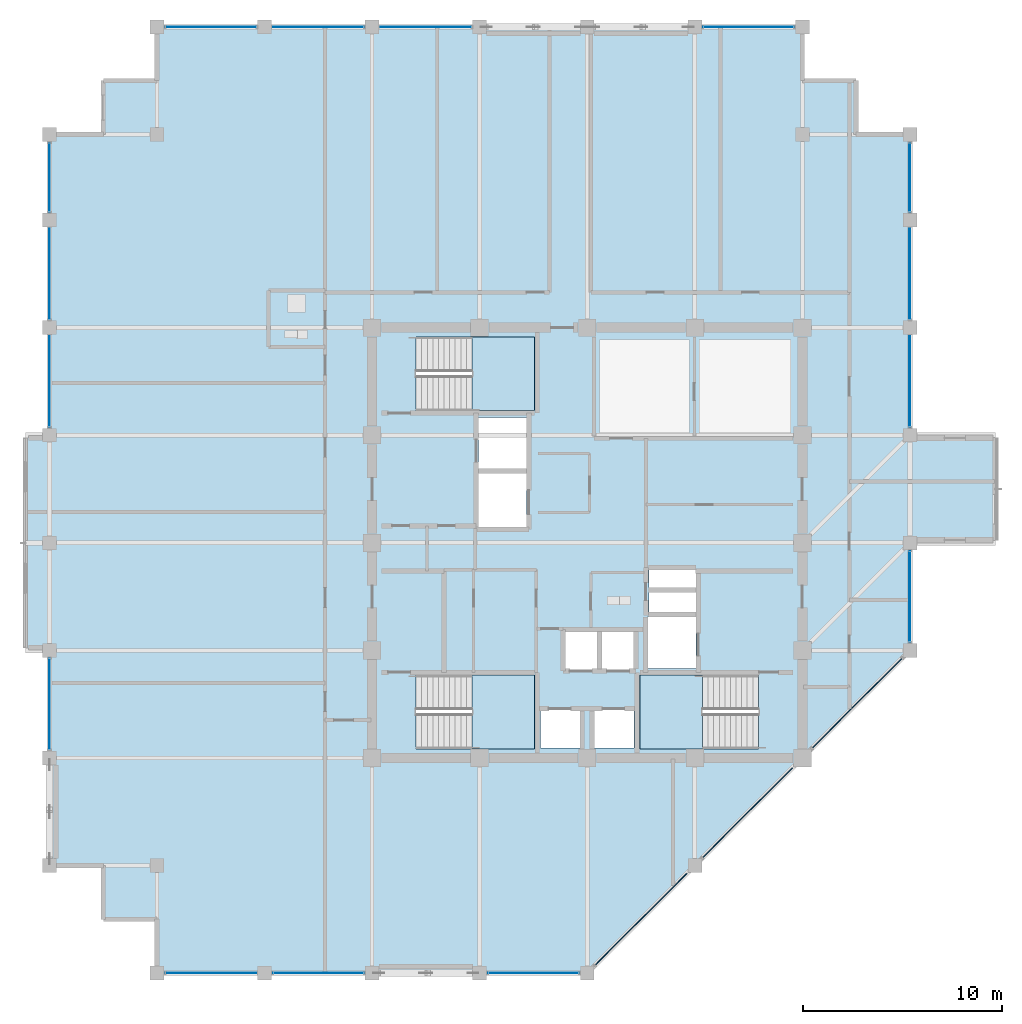
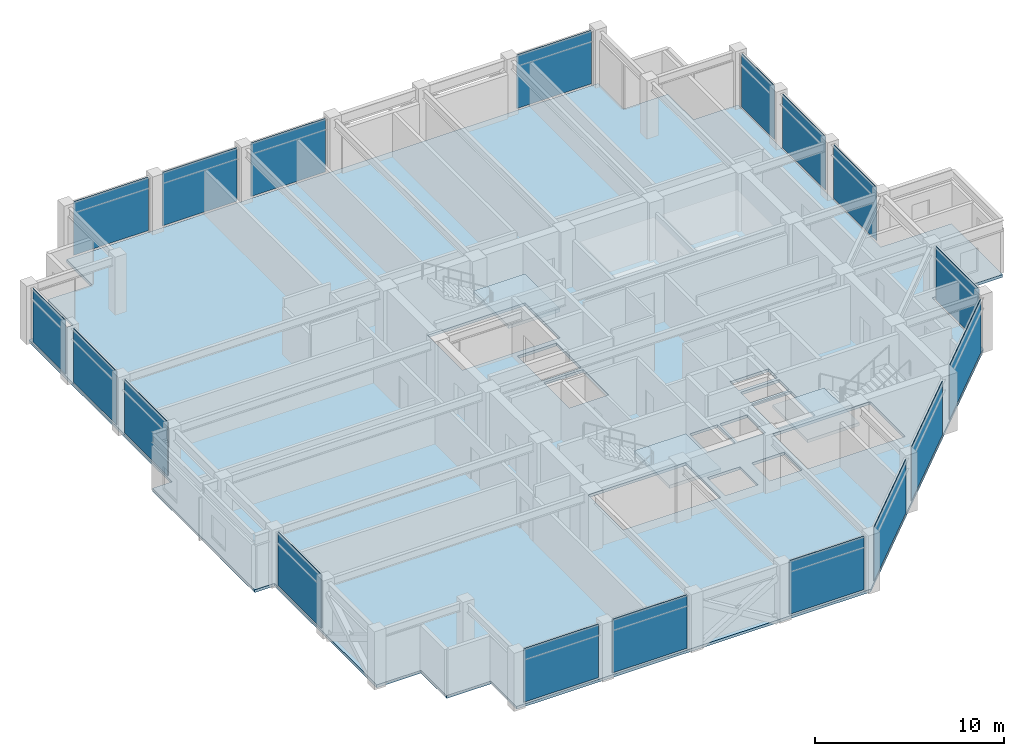
# One storey, part 21 of 30: 18 plates, 4 slabs, 12 elements without a shape of their own.
"""IFC4 building model written with IfcOpenShell, lengths in metres."""

from ifc_helpers import new_model, si_unit, direction, frame, frame_2d, origin, place, context, subcontext, project, spatial, polyline, rectangle, outline, extrude, material, layer, layer_set, type_object, element, aggregate, save


model = new_model("IFC4")

# Units and contexts
model_context = context("Model", 3, precision=1e-05, world=origin(), true_north=direction((0.0, 1.0)))
body_context = subcontext(model_context, "Body", "Model", "MODEL_VIEW")
ifc_project = project(units=[si_unit("LENGTHUNIT", "METRE"), si_unit("AREAUNIT", "SQUARE_METRE"), si_unit("VOLUMEUNIT", "CUBIC_METRE"), si_unit("PLANEANGLEUNIT", "RADIAN"), si_unit("MASSUNIT", "GRAM", prefix="KILO")], contexts=[model_context])

# Site, building, storey
site_placement = place(None, origin())
site = spatial("IfcSite", under=ifc_project, at=site_placement, CompositionType="ELEMENT")
building_placement = place(site_placement, origin())
building = spatial("IfcBuilding", under=site, at=building_placement, Name="Surkhivell Harbour Commons", CompositionType="ELEMENT")
storey_placement = place(building_placement, frame((0.0, 0.0, 303.75)))
storey = spatial("IfcBuildingStorey", under=building, at=storey_placement, Name="L79", CompositionType="ELEMENT", Elevation=303.75)

# Curtain wall, plates
ifc_material_1 = material(Name="Anodised pale-metal aluminium and insulated glazing", Category="aluminium")
ifc_layer_1 = layer(ifc_material_1, 0.175048828125)
ifc_layer_set_1 = layer_set([ifc_layer_1], Name="Anodised pale-metal aluminium and insulated glazing")
curtain_wall_type = type_object("IfcCurtainWallType", Name="CW-SYS-Z4", PredefinedType="NOTDEFINED", material=ifc_layer_set_1)
curtain_wall_1_placement = place(storey_placement, origin())
curtain_wall_1 = element("IfcCurtainWall", 1, at=curtain_wall_1_placement, inside=storey, type_object=curtain_wall_type, Name="L79 Curtain Wall CW-L79-E00S1", PredefinedType="NOTDEFINED")
ifc_material_2 = material(Name="Insulated shadow-box spandrel glazing", Category="glass")
ifc_layer_2 = layer(ifc_material_2, 0.0400390625)
ifc_layer_set_2 = layer_set([ifc_layer_2], Name="Insulated shadow-box spandrel glazing")
plate_type = type_object("IfcPlateType", Name="CWP-SPN-40", PredefinedType="CURTAIN_PANEL", material=ifc_layer_set_2)
plate_1_placement = place(storey_placement, frame((-21.173095703125, -21.60009765625, 0.1298828125), z_axis=(0.0, 0.0, 1.0), x_axis=(1.0, 0.0, 0.0)))
plate_1 = element("IfcPlate", 2, at=plate_1_placement, type_object=plate_type, Name="CW-Z4 panel 1.1", PredefinedType="CURTAIN_PANEL", context=body_context, shape_type="SweptSolid", body=[
    extrude(rectangle(XDim=4.546142578125, YDim=0.0400390625, at=frame_2d((2.27294921875, 0.0))), origin(), (0.0, 0.0, 1.0), 3.440185546875),
])
plate_2_placement = place(storey_placement, frame((-15.77294921875, -21.60009765625, 0.1298828125), z_axis=(0.0, 0.0, 1.0), x_axis=(1.0, 0.0, 0.0)))
plate_2 = element("IfcPlate", 3, at=plate_2_placement, type_object=plate_type, Name="CW-Z4 panel 2.1", PredefinedType="CURTAIN_PANEL", context=body_context, shape_type="SweptSolid", body=[
    extrude(rectangle(XDim=4.5458984375, YDim=0.0400390625, at=frame_2d((2.27294921875, 0.0))), origin(), (0.0, 0.0, 1.0), 3.440185546875),
])
aggregate(curtain_wall_1, [plate_1, plate_2])

# Curtain wall, plate
curtain_wall_2_placement = place(storey_placement, origin())
curtain_wall_2 = element("IfcCurtainWall", 4, at=curtain_wall_2_placement, inside=storey, type_object=curtain_wall_type, Name="L79 Curtain Wall CW-L79-E00S2", PredefinedType="NOTDEFINED")
plate_3_placement = place(storey_placement, frame((-4.972900390625, -21.60009765625, 0.1298828125), z_axis=(0.0, 0.0, 1.0), x_axis=(1.0, 0.0, 0.0)))
plate_3 = element("IfcPlate", 5, at=plate_3_placement, type_object=plate_type, Name="CW-Z4 panel 1.1", PredefinedType="CURTAIN_PANEL", context=body_context, shape_type="SweptSolid", body=[
    extrude(rectangle(XDim=4.5458984375, YDim=0.0400390625, at=frame_2d((2.27294921875, 0.0))), origin(), (0.0, 0.0, 1.0), 3.440185546875),
])
aggregate(curtain_wall_2, [plate_3])

# Curtain wall, plates
curtain_wall_3_placement = place(storey_placement, origin())
curtain_wall_3 = element("IfcCurtainWall", 6, at=curtain_wall_3_placement, inside=storey, type_object=curtain_wall_type, Name="L79 Curtain Wall CW-L79-E01", PredefinedType="NOTDEFINED")
plate_4_placement = place(storey_placement, frame((0.404541015625, -21.1953125, 0.1298828125), z_axis=(0.0, 0.0, 1.0), x_axis=(0.707125583467, 0.707087978406, 0.0)))
plate_4 = element("IfcPlate", 7, at=plate_4_placement, type_object=plate_type, Name="CW-Z4 panel 1.1", PredefinedType="CURTAIN_PANEL", context=body_context, shape_type="SweptSolid", body=[
    extrude(rectangle(XDim=6.4921875, YDim=0.0400390625, at=frame_2d((3.24609375, 0.0))), origin(), (0.0, 0.0, 1.0), 3.440185546875),
])
plate_5_placement = place(storey_placement, frame((5.8046875, -15.79541015625, 0.1298828125), z_axis=(0.0, 0.0, 1.0), x_axis=(0.707106781187, 0.707106781187, 0.0)))
plate_5 = element("IfcPlate", 8, at=plate_5_placement, type_object=plate_type, Name="CW-Z4 panel 2.1", PredefinedType="CURTAIN_PANEL", context=body_context, shape_type="SweptSolid", body=[
    extrude(rectangle(XDim=6.350830078125, YDim=0.0400390625, at=frame_2d((3.17529296875, 0.0))), origin(), (0.0, 0.0, 1.0), 3.440185546875),
])
plate_6_placement = place(storey_placement, frame((11.3046875, -10.29541015625, 0.1298828125), z_axis=(0.0, 0.0, 1.0), x_axis=(0.707106781187, 0.707106781187, 0.0)))
plate_6 = element("IfcPlate", 9, at=plate_6_placement, type_object=plate_type, Name="CW-Z4 panel 3.1", PredefinedType="CURTAIN_PANEL", context=body_context, shape_type="SweptSolid", body=[
    extrude(rectangle(XDim=6.350830078125, YDim=0.0400390625, at=frame_2d((3.17529296875, 0.0))), origin(), (0.0, 0.0, 1.0), 3.440185546875),
])
aggregate(curtain_wall_3, [plate_4, plate_5, plate_6])

# Curtain wall, plate
curtain_wall_4_placement = place(storey_placement, origin())
curtain_wall_4 = element("IfcCurtainWall", 10, at=curtain_wall_4_placement, inside=storey, type_object=curtain_wall_type, Name="L79 Curtain Wall CW-L79-E02R1", PredefinedType="NOTDEFINED")
plate_7_placement = place(storey_placement, frame((16.199951171875, -4.972900390625, 0.1298828125), z_axis=(0.0, 0.0, 1.0), x_axis=(0.0, 1.0, 0.0)))
plate_7 = element("IfcPlate", 11, at=plate_7_placement, type_object=plate_type, Name="CW-Z4 panel 1.1", PredefinedType="CURTAIN_PANEL", context=body_context, shape_type="SweptSolid", body=[
    extrude(rectangle(XDim=4.5458984375, YDim=0.0400390625, at=frame_2d((2.27294921875, 0.0))), origin(), (0.0, 0.0, 1.0), 3.440185546875),
])
aggregate(curtain_wall_4, [plate_7])

# Curtain wall, plates
curtain_wall_5_placement = place(storey_placement, origin())
curtain_wall_5 = element("IfcCurtainWall", 12, at=curtain_wall_5_placement, inside=storey, type_object=curtain_wall_type, Name="L79 Curtain Wall CW-L79-E02R2", PredefinedType="NOTDEFINED")
plate_8_placement = place(storey_placement, frame((16.199951171875, 5.826904296875, 0.1298828125), z_axis=(0.0, 0.0, 1.0), x_axis=(0.0, 1.0, 0.0)))
plate_8 = element("IfcPlate", 13, at=plate_8_placement, type_object=plate_type, Name="CW-Z4 panel 1.1", PredefinedType="CURTAIN_PANEL", context=body_context, shape_type="SweptSolid", body=[
    extrude(rectangle(XDim=4.546142578125, YDim=0.0400390625, at=frame_2d((2.27294921875, 0.0))), origin(), (0.0, 0.0, 1.0), 3.440185546875),
])
plate_9_placement = place(storey_placement, frame((16.199951171875, 11.22705078125, 0.1298828125), z_axis=(0.0, 0.0, 1.0), x_axis=(0.0, 1.0, 0.0)))
plate_9 = element("IfcPlate", 14, at=plate_9_placement, type_object=plate_type, Name="CW-Z4 panel 2.1", PredefinedType="CURTAIN_PANEL", context=body_context, shape_type="SweptSolid", body=[
    extrude(rectangle(XDim=4.5458984375, YDim=0.0400390625, at=frame_2d((2.27294921875, 0.0))), origin(), (0.0, 0.0, 1.0), 3.440185546875),
])
plate_10_placement = place(storey_placement, frame((16.199951171875, 16.626953125, 0.1298828125), z_axis=(0.0, 0.0, 1.0), x_axis=(0.0, 1.0, 0.0)))
plate_10 = element("IfcPlate", 15, at=plate_10_placement, type_object=plate_type, Name="CW-Z4 panel 3.1", PredefinedType="CURTAIN_PANEL", context=body_context, shape_type="SweptSolid", body=[
    extrude(rectangle(XDim=3.446044921875, YDim=0.0400390625, at=frame_2d((1.72314453125, 0.0))), origin(), (0.0, 0.0, 1.0), 3.440185546875),
])
aggregate(curtain_wall_5, [plate_8, plate_9, plate_10])

# Curtain wall, plate
curtain_wall_6_placement = place(storey_placement, origin())
curtain_wall_6 = element("IfcCurtainWall", 16, at=curtain_wall_6_placement, inside=storey, type_object=curtain_wall_type, Name="L79 Curtain Wall CW-L79-E07S1", PredefinedType="NOTDEFINED")
plate_11_placement = place(storey_placement, frame((10.373046875, 25.89990234375, 0.1298828125), z_axis=(0.0, 0.0, 1.0), x_axis=(-1.0, 0.0, 0.0)))
plate_11 = element("IfcPlate", 17, at=plate_11_placement, type_object=plate_type, Name="CW-Z4 panel 1.1", PredefinedType="CURTAIN_PANEL", context=body_context, shape_type="SweptSolid", body=[
    extrude(rectangle(XDim=4.546142578125, YDim=0.0400390625, at=frame_2d((2.27294921875, 0.0))), origin(), (0.0, 0.0, 1.0), 3.440185546875),
])
aggregate(curtain_wall_6, [plate_11])

# Curtain wall, plates
curtain_wall_7_placement = place(storey_placement, origin())
curtain_wall_7 = element("IfcCurtainWall", 18, at=curtain_wall_7_placement, inside=storey, type_object=curtain_wall_type, Name="L79 Curtain Wall CW-L79-E07S2", PredefinedType="NOTDEFINED")
plate_12_placement = place(storey_placement, frame((-5.826904296875, 25.89990234375, 0.1298828125), z_axis=(0.0, 0.0, 1.0), x_axis=(-1.0, 0.0, 0.0)))
plate_12 = element("IfcPlate", 19, at=plate_12_placement, type_object=plate_type, Name="CW-Z4 panel 1.1", PredefinedType="CURTAIN_PANEL", context=body_context, shape_type="SweptSolid", body=[
    extrude(rectangle(XDim=4.546142578125, YDim=0.0400390625, at=frame_2d((2.27294921875, 0.0))), origin(), (0.0, 0.0, 1.0), 3.440185546875),
])
plate_13_placement = place(storey_placement, frame((-11.22705078125, 25.89990234375, 0.1298828125), z_axis=(0.0, 0.0, 1.0), x_axis=(-1.0, 0.0, 0.0)))
plate_13 = element("IfcPlate", 20, at=plate_13_placement, type_object=plate_type, Name="CW-Z4 panel 2.1", PredefinedType="CURTAIN_PANEL", context=body_context, shape_type="SweptSolid", body=[
    extrude(rectangle(XDim=4.5458984375, YDim=0.0400390625, at=frame_2d((2.27294921875, 0.0))), origin(), (0.0, 0.0, 1.0), 3.440185546875),
])
plate_14_placement = place(storey_placement, frame((-16.626953125, 25.89990234375, 0.1298828125), z_axis=(0.0, 0.0, 1.0), x_axis=(-1.0, 0.0, 0.0)))
plate_14 = element("IfcPlate", 21, at=plate_14_placement, type_object=plate_type, Name="CW-Z4 panel 3.1", PredefinedType="CURTAIN_PANEL", context=body_context, shape_type="SweptSolid", body=[
    extrude(rectangle(XDim=4.546142578125, YDim=0.0400390625, at=frame_2d((2.27294921875, 0.0))), origin(), (0.0, 0.0, 1.0), 3.440185546875),
])
aggregate(curtain_wall_7, [plate_12, plate_13, plate_14])

# Curtain wall, plate
curtain_wall_8_placement = place(storey_placement, origin())
curtain_wall_8 = element("IfcCurtainWall", 22, at=curtain_wall_8_placement, inside=storey, type_object=curtain_wall_type, Name="L79 Curtain Wall CW-L79-E12R1S1", PredefinedType="NOTDEFINED")
plate_15_placement = place(storey_placement, frame((-27.0, -10.373046875, 0.1298828125), z_axis=(0.0, 0.0, 1.0), x_axis=(0.0, 1.0, 0.0)))
plate_15 = element("IfcPlate", 23, at=plate_15_placement, type_object=plate_type, Name="CW-Z4 panel 1.1", PredefinedType="CURTAIN_PANEL", context=body_context, shape_type="SweptSolid", body=[
    extrude(rectangle(XDim=4.546142578125, YDim=0.0400390625, at=frame_2d((2.27294921875, 0.0))), origin(), (0.0, 0.0, 1.0), 3.440185546875),
])
aggregate(curtain_wall_8, [plate_15])

# Curtain wall, plates
curtain_wall_9_placement = place(storey_placement, origin())
curtain_wall_9 = element("IfcCurtainWall", 24, at=curtain_wall_9_placement, inside=storey, type_object=curtain_wall_type, Name="L79 Curtain Wall CW-L79-E12R2", PredefinedType="NOTDEFINED")
plate_16_placement = place(storey_placement, frame((-27.0, 5.826904296875, 0.1298828125), z_axis=(0.0, 0.0, 1.0), x_axis=(0.0, 1.0, 0.0)))
plate_16 = element("IfcPlate", 25, at=plate_16_placement, type_object=plate_type, Name="CW-Z4 panel 1.1", PredefinedType="CURTAIN_PANEL", context=body_context, shape_type="SweptSolid", body=[
    extrude(rectangle(XDim=4.546142578125, YDim=0.0400390625, at=frame_2d((2.27294921875, 0.0))), origin(), (0.0, 0.0, 1.0), 3.440185546875),
])
plate_17_placement = place(storey_placement, frame((-27.0, 11.22705078125, 0.1298828125), z_axis=(0.0, 0.0, 1.0), x_axis=(0.0, 1.0, 0.0)))
plate_17 = element("IfcPlate", 26, at=plate_17_placement, type_object=plate_type, Name="CW-Z4 panel 2.1", PredefinedType="CURTAIN_PANEL", context=body_context, shape_type="SweptSolid", body=[
    extrude(rectangle(XDim=4.5458984375, YDim=0.0400390625, at=frame_2d((2.27294921875, 0.0))), origin(), (0.0, 0.0, 1.0), 3.440185546875),
])
plate_18_placement = place(storey_placement, frame((-27.0, 16.626953125, 0.1298828125), z_axis=(0.0, 0.0, 1.0), x_axis=(0.0, 1.0, 0.0)))
plate_18 = element("IfcPlate", 27, at=plate_18_placement, type_object=plate_type, Name="CW-Z4 panel 3.1", PredefinedType="CURTAIN_PANEL", context=body_context, shape_type="SweptSolid", body=[
    extrude(rectangle(XDim=3.446044921875, YDim=0.0400390625, at=frame_2d((1.72314453125, 0.0))), origin(), (0.0, 0.0, 1.0), 3.440185546875),
])
aggregate(curtain_wall_9, [plate_16, plate_17, plate_18])

# Stair, slab
ifc_material_3 = material(Name="Precast concrete C45/55", Category="concrete")
stair_type = type_object("IfcStairType", Name="STR-DL-375", PredefinedType="HALF_TURN_STAIR", material=ifc_material_3)
stair_1_placement = place(storey_placement, origin())
stair_1 = element("IfcStair", 28, at=stair_1_placement, inside=storey, type_object=stair_type, Name="L79 Core Exit Stair ST1", PredefinedType="HALF_TURN_STAIR")
ifc_material_4 = material(Name="Reinforced concrete C45/55", Category="concrete")
ifc_layer_3 = layer(ifc_material_4, 0.199951171875)
ifc_layer_set_3 = layer_set([ifc_layer_3], Name="Reinforced concrete C45/55")
slab_type_1 = type_object("IfcSlabType", Name="SLB-ST-LND200", PredefinedType="LANDING", material=ifc_layer_set_3)
slab_1_placement = place(storey_placement, frame((0.0, 0.0, 1.675048828125)))
slab_1 = element("IfcSlab", 29, at=slab_1_placement, type_object=slab_type_1, Name="ST1 landing 1", PredefinedType="LANDING", context=body_context, shape_type="SweptSolid", body=[
    extrude(outline(polyline([(-5.7900390625, 6.639892578125), (-2.639892578125, 6.639892578125), (-2.639892578125, 10.340087890625), (-5.7900390625, 10.340087890625), (-5.7900390625, 6.639892578125)])), origin(), (0.0, 0.0, 1.0), 0.199951171875),
])
aggregate(stair_1, [slab_1])

stair_2_placement = place(storey_placement, origin())
stair_2 = element("IfcStair", 30, at=stair_2_placement, inside=storey, type_object=stair_type, Name="L79 Core Exit Stair ST2", PredefinedType="HALF_TURN_STAIR")
slab_2_placement = place(storey_placement, frame((0.0, 0.0, 1.675048828125)))
slab_2 = element("IfcSlab", 31, at=slab_2_placement, type_object=slab_type_1, Name="ST2 landing 1", PredefinedType="LANDING", context=body_context, shape_type="SweptSolid", body=[
    extrude(outline(polyline([(5.7900390625, -6.639892578125), (2.639892578125, -6.639892578125), (2.639892578125, -10.340087890625), (5.7900390625, -10.340087890625), (5.7900390625, -6.639892578125)])), origin(), (0.0, 0.0, 1.0), 0.199951171875),
])
aggregate(stair_2, [slab_2])

stair_3_placement = place(storey_placement, origin())
stair_3 = element("IfcStair", 32, at=stair_3_placement, inside=storey, type_object=stair_type, Name="L79 Core Exit Stair ST3", PredefinedType="HALF_TURN_STAIR")
slab_3_placement = place(storey_placement, frame((0.0, 0.0, 1.675048828125)))
slab_3 = element("IfcSlab", 33, at=slab_3_placement, type_object=slab_type_1, Name="ST3 landing 1", PredefinedType="LANDING", context=body_context, shape_type="SweptSolid", body=[
    extrude(outline(polyline([(-5.7900390625, -10.340087890625), (-2.639892578125, -10.340087890625), (-2.639892578125, -6.639892578125), (-5.7900390625, -6.639892578125), (-5.7900390625, -10.340087890625)])), origin(), (0.0, 0.0, 1.0), 0.199951171875),
])
aggregate(stair_3, [slab_3])

# Slab
ifc_material_5 = material(Name="Concrete C45/55", Category="concrete")
ifc_layer_4 = layer(ifc_material_5, 0.179931640625)
ifc_layer_set_4 = layer_set([ifc_layer_4], Name="Concrete C45/55")
slab_type_2 = type_object("IfcSlabType", Name="SLB-TYP-180", PredefinedType="FLOOR", material=ifc_layer_set_4)
slab_4_placement = place(storey_placement, frame((0.0, 0.0, -0.179931640625)))
element("IfcSlab", 34, at=slab_4_placement, inside=storey, type_object=slab_type_2, Name="L79 Structural Floor Slab", PredefinedType="FLOOR", context=body_context, shape_type="SweptSolid", body=[
    extrude(outline(polyline([(-27.0, 20.5), (-27.0, 5.39990234375), (-28.199951171875, 5.39990234375), (-28.199951171875, -5.39990234375), (-27.0, -5.39990234375), (-27.0, -16.199951171875), (-24.300048828125, -16.199951171875), (-24.300048828125, -18.89990234375), (-21.60009765625, -18.89990234375), (-21.60009765625, -21.60009765625), (0.0, -21.60009765625), (16.199951171875, -5.39990234375), (16.199951171875, 0.0), (20.5, 0.0), (20.5, 5.39990234375), (16.199951171875, 5.39990234375), (16.199951171875, 20.5), (13.5, 20.5), (13.5, 23.199951171875), (10.800048828125, 23.199951171875), (10.800048828125, 25.89990234375), (-21.60009765625, 25.89990234375), (-21.60009765625, 23.199951171875), (-24.300048828125, 23.199951171875), (-24.300048828125, 20.5), (-27.0, 20.5)]), holes=[polyline([(-8.590087890625, 6.639892578125), (-2.639892578125, 6.639892578125), (-2.639892578125, 10.340087890625), (-8.590087890625, 10.340087890625), (-8.590087890625, 6.639892578125)]), polyline([(8.590087890625, -6.639892578125), (2.639892578125, -6.639892578125), (2.639892578125, -10.340087890625), (8.590087890625, -10.340087890625), (8.590087890625, -6.639892578125)]), polyline([(-8.590087890625, -10.340087890625), (-2.639892578125, -10.340087890625), (-2.639892578125, -6.639892578125), (-8.590087890625, -6.639892578125), (-8.590087890625, -10.340087890625)]), polyline([(-1.14990234375, -6.35009765625), (0.550048828125, -6.35009765625), (0.550048828125, -4.449951171875), (-1.14990234375, -4.449951171875), (-1.14990234375, -6.35009765625)]), polyline([(0.679931640625, -6.35009765625), (2.3798828125, -6.35009765625), (2.3798828125, -4.449951171875), (0.679931640625, -4.449951171875), (0.679931640625, -6.35009765625)]), polyline([(-2.35009765625, -10.300048828125), (-0.35009765625, -10.300048828125), (-0.35009765625, -8.39990234375), (-2.35009765625, -8.39990234375), (-2.35009765625, -10.300048828125)]), polyline([(0.35009765625, -10.300048828125), (2.35009765625, -10.300048828125), (2.35009765625, -8.39990234375), (0.35009765625, -8.39990234375), (0.35009765625, -10.300048828125)]), polyline([(-5.449951171875, 3.699951171875), (-3.050048828125, 3.699951171875), (-3.050048828125, 6.300048828125), (-5.449951171875, 6.300048828125), (-5.449951171875, 3.699951171875)]), polyline([(3.050048828125, -6.300048828125), (5.449951171875, -6.300048828125), (5.449951171875, -3.699951171875), (3.050048828125, -3.699951171875), (3.050048828125, -6.300048828125)]), polyline([(-5.449951171875, 0.800048828125), (-3.050048828125, 0.800048828125), (-3.050048828125, 3.5), (-5.449951171875, 3.5), (-5.449951171875, 0.800048828125)]), polyline([(3.10009765625, -3.550048828125), (5.449951171875, -3.550048828125), (5.449951171875, -2.47998046875), (3.10009765625, -2.47998046875), (3.10009765625, -3.550048828125)]), polyline([(3.10009765625, -2.280029296875), (5.449951171875, -2.280029296875), (5.449951171875, -1.35009765625), (3.10009765625, -1.35009765625), (3.10009765625, -2.280029296875)])]), origin(), (0.0, 0.0, 1.0), 0.179931640625),
])

save(model, "model.ifc")
